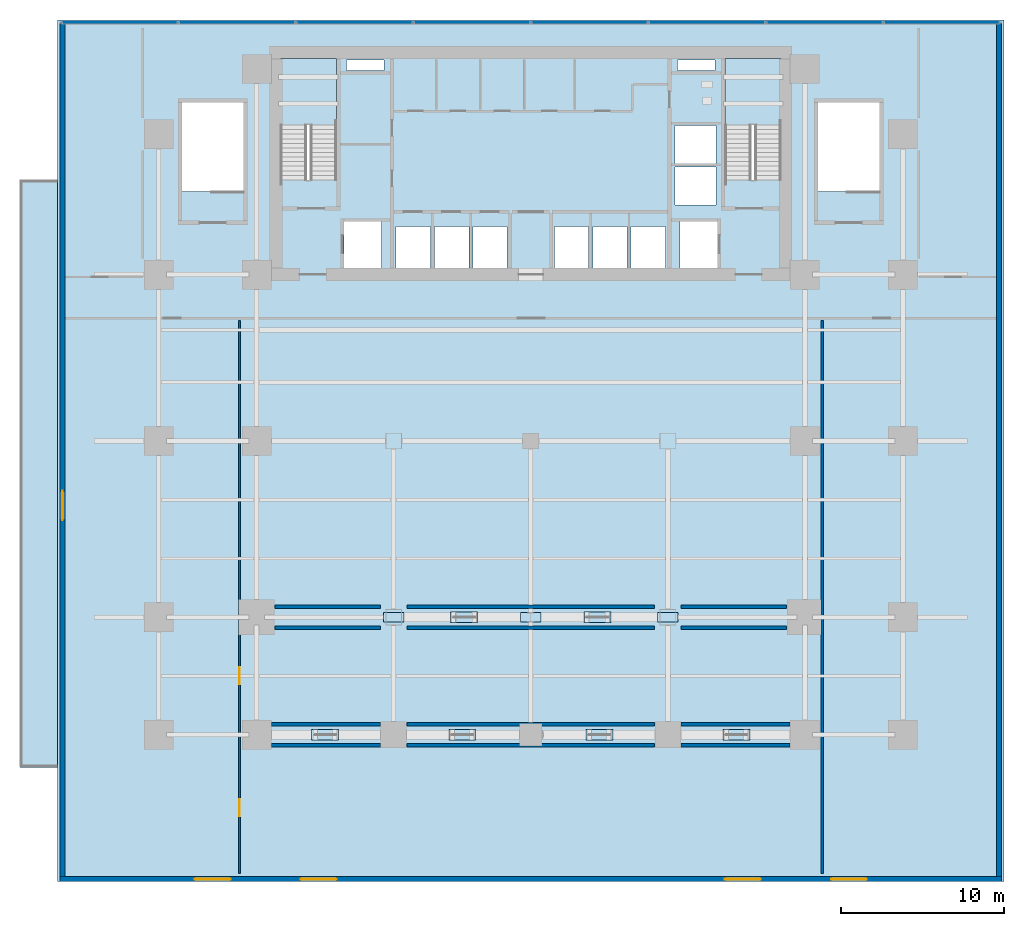
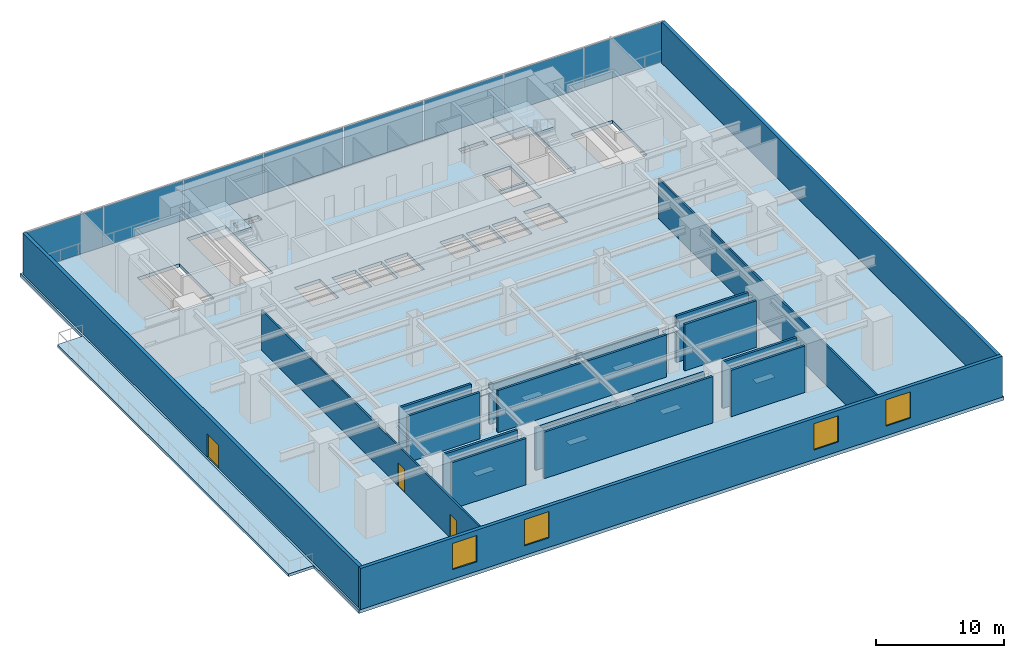
# One storey, part 8 of 15: 17 plates, 17 walls, 4 slabs, 4 windows, 3 doors, 7 openings, 3 elements without a shape of their own.
"""IFC4 building model written with IfcOpenShell, lengths in metres."""

import ifcopenshell
import ifcopenshell.guid

model = None  # the IFC model being written
_history = None  # IfcOwnerHistory: only IFC2X3 demands one
_inside = {}  # id of a spatial element -> (the spatial element, [elements in it])
_under = {}  # id of a project, library or spatial element -> (it, [spatial elements below it])
_declared = {}  # id of a project -> (the project, [libraries it declares])
_typed = {}  # id of a type object -> (the type object, [elements of that type])
_made_of = {}  # id of a material, layer set ... -> (it, [elements and type objects made of it])


def new_model(schema):
    """Start an empty IFC model of exactly this schema.

    Asked for "IFC4X3", IfcOpenShell would pick the latest addendum, in which some entities
    have other attributes; the version numbers below select the first issue.
    IFC2X3 requires an IfcOwnerHistory on every rooted entity: one is made here for all.
    """
    global model, _history
    if schema == "IFC4X3":
        model = ifcopenshell.file(schema_version=(4, 3, 0, 0))
    else:
        model = ifcopenshell.file(schema=schema)
    _inside.clear()
    _under.clear()
    _declared.clear()
    _typed.clear()
    _made_of.clear()
    _history = None
    if model.schema == "IFC2X3":
        org = make("IfcOrganization", Name="unknown")
        user = make(
            "IfcPersonAndOrganization",
            ThePerson=make("IfcPerson", FamilyName="unknown"),
            TheOrganization=org,
        )
        app = make(
            "IfcApplication",
            ApplicationDeveloper=org,
            Version="unknown",
            ApplicationFullName="unknown",
            ApplicationIdentifier="unknown",
        )
        _history = make(
            "IfcOwnerHistory",
            OwningUser=user,
            OwningApplication=app,
            ChangeAction="ADDED",
            CreationDate=0,
        )
    return model


def make(cls, **values):
    """One entity of the class cls with the attributes given. An attribute that is None is left unset."""
    return model.create_entity(
        cls, **{name: value for name, value in values.items() if value is not None}
    )


def rooted(cls, **values):
    """An entity with a GlobalId (a new one), such as an element, a storey or a relation."""
    return make(cls, GlobalId=ifcopenshell.guid.new(), OwnerHistory=_history, **values)


def si_unit(unit_type, name, prefix=None):
    """IfcSIUnit, for example si_unit("LENGTHUNIT", "METRE", prefix="MILLI")."""
    return make("IfcSIUnit", UnitType=unit_type, Prefix=prefix, Name=name)


def assignment(units):
    """IfcUnitAssignment: the units of a project."""
    return None if units is None else make("IfcUnitAssignment", Units=units)


def point(xyz):
    """IfcCartesianPoint."""
    return None if xyz is None else make("IfcCartesianPoint", Coordinates=xyz)


def direction(xyz):
    """IfcDirection."""
    return None if xyz is None else make("IfcDirection", DirectionRatios=xyz)


def frame(location, z_axis=None, x_axis=None):
    """IfcAxis2Placement3D, a coordinate frame: its origin and axes. An axis left out is left unset."""
    return make(
        "IfcAxis2Placement3D",
        Location=point(location),
        Axis=direction(z_axis),
        RefDirection=direction(x_axis),
    )


def frame_2d(location, x_axis=None):
    """IfcAxis2Placement2D, a coordinate frame in the plane: its origin and x axis."""
    return make(
        "IfcAxis2Placement2D", Location=point(location), RefDirection=direction(x_axis)
    )


def origin():
    """The frame at (0, 0, 0) with its axes left unset."""
    return frame((0.0, 0.0, 0.0))


def origin_2d():
    """The frame at (0, 0) in the plane with its x axis left unset."""
    return frame_2d((0.0, 0.0))


def place(relative_to, where):
    """IfcLocalPlacement: puts the frame where relative to a parent placement (None: the world)."""
    return make(
        "IfcLocalPlacement", PlacementRelTo=relative_to, RelativePlacement=where
    )


def context(
    kind, dimensions, precision=None, world=None, true_north=None, identifier=None
):
    """IfcGeometricRepresentationContext, for example the 3D "Model" context."""
    return make(
        "IfcGeometricRepresentationContext",
        ContextIdentifier=identifier,
        ContextType=kind,
        CoordinateSpaceDimension=dimensions,
        Precision=precision,
        WorldCoordinateSystem=world,
        TrueNorth=true_north,
    )


def subcontext(parent, identifier, kind, view, scale=None):
    """IfcGeometricRepresentationSubContext, for example "Body" below "Model"."""
    return make(
        "IfcGeometricRepresentationSubContext",
        ContextIdentifier=identifier,
        ContextType=kind,
        ParentContext=parent,
        TargetScale=scale,
        TargetView=view,
    )


def project(units=None, contexts=None):
    """IfcProject with its units and contexts."""
    return rooted(
        "IfcProject",
        Name="project",
        RepresentationContexts=contexts,
        UnitsInContext=assignment(units),
    )


def spatial(cls, under=None, at=None, **own):
    """A site, building, storey or space (cls), placed at a placement, below another one or the project."""
    s = rooted(cls, ObjectPlacement=at, **own)
    if under is not None:
        _under.setdefault(under.id(), (under, []))[1].append(s)
    return s


def polyline(points):
    """IfcPolyline through the points."""
    return make("IfcPolyline", Points=[point(p) for p in points])


def profile(cls, at=None, kind="AREA", **sizes):
    """A parametric profile (cls). Its sizes go by their IFC names, for example OverallWidth=200.0."""
    return make(cls, ProfileType=kind, Position=at, **sizes)


def rectangle(**sizes):
    """IfcRectangleProfileDef."""
    return profile("IfcRectangleProfileDef", **sizes)


def outline(outer, holes=None, kind="AREA"):
    """IfcArbitraryClosedProfileDef: a profile drawn as a closed curve; with holes, ...WithVoids."""
    if holes is None:
        return make("IfcArbitraryClosedProfileDef", ProfileType=kind, OuterCurve=outer)
    return make(
        "IfcArbitraryProfileDefWithVoids",
        ProfileType=kind,
        OuterCurve=outer,
        InnerCurves=holes,
    )


def extrude(swept, where, along, depth):
    """IfcExtrudedAreaSolid: the profile swept, set in the frame where, extruded along a direction by depth."""
    return make(
        "IfcExtrudedAreaSolid",
        SweptArea=swept,
        Position=where,
        ExtrudedDirection=direction(along),
        Depth=depth,
    )


def shape(context_of_items, identifier, shape_type, items):
    """IfcShapeRepresentation: the items that make up one representation, for example the "Body"."""
    return make(
        "IfcShapeRepresentation",
        ContextOfItems=context_of_items,
        RepresentationIdentifier=identifier,
        RepresentationType=shape_type,
        Items=items,
    )


def source(mapping_origin, context_of_items, identifier, shape_type, items):
    """IfcRepresentationMap: a shape defined once, which mapped items show again and again."""
    return make(
        "IfcRepresentationMap",
        MappingOrigin=mapping_origin,
        MappedRepresentation=shape(context_of_items, identifier, shape_type, items),
    )


def transform(
    local_origin,
    x_axis=None,
    y_axis=None,
    z_axis=None,
    scale=None,
    scale2=None,
    scale3=None,
    uniform=True,
):
    """IfcCartesianTransformationOperator3D, or its non-uniform kind. x_axis, y_axis, z_axis: its Axis1, 2, 3."""
    if uniform:
        return make(
            "IfcCartesianTransformationOperator3D",
            Axis1=direction(x_axis),
            Axis2=direction(y_axis),
            LocalOrigin=point(local_origin),
            Scale=scale,
            Axis3=direction(z_axis),
        )
    return make(
        "IfcCartesianTransformationOperator3DnonUniform",
        Axis1=direction(x_axis),
        Axis2=direction(y_axis),
        LocalOrigin=point(local_origin),
        Scale=scale,
        Axis3=direction(z_axis),
        Scale2=scale2,
        Scale3=scale3,
    )


def mapped(mapping_source, mapping_target):
    """IfcMappedItem: shows the shape of a source again, moved by a transform."""
    return make(
        "IfcMappedItem", MappingSource=mapping_source, MappingTarget=mapping_target
    )


def material(Name=None, Category=None):
    """IfcMaterial."""
    return make("IfcMaterial", Name=Name, Category=Category)


def layer(
    of_material, thickness, ventilated=None, Name=None, Category=None, Priority=None
):
    """IfcMaterialLayer: one layer of a wall or slab, of a material (None: an air gap)."""
    return make(
        "IfcMaterialLayer",
        Material=of_material,
        LayerThickness=thickness,
        IsVentilated=ventilated,
        Name=Name,
        Category=Category,
        Priority=Priority,
    )


def layer_set(layers, Name=None):
    """IfcMaterialLayerSet."""
    return make("IfcMaterialLayerSet", MaterialLayers=layers, LayerSetName=Name)


def made_of(thing, what):
    """Note that an element or type object is made of a material, layer set ...; save() writes the relation."""
    if what is not None:
        _made_of.setdefault(what.id(), (what, []))[1].append(thing)
    return thing


def type_object(cls, material=None, **own):
    """A type object (cls), such as IfcWallType, which elements share."""
    return made_of(rooted(cls, **own), material)


def element(
    cls,
    number,
    at=None,
    inside=None,
    cuts=None,
    type_object=None,
    material=None,
    context=None,
    identifier="Body",
    shape_type=None,
    held_by="IfcProductDefinitionShape",
    body=None,
    shapes=None,
    **own,
):
    """One element of the class cls, such as IfcWall. Its Tag is "e" and its number.

    at: its placement. inside: the storey or other place that contains it. cuts: it is an
    opening in that element (IfcRelVoidsElement). A single representation is given by context,
    identifier, shape_type and body (its items); several are given by shapes. held_by: the class
    of the entity that holds the representations. save() writes the other relations.
    """
    e = rooted(cls, Tag="e%d" % number, ObjectPlacement=at, **own)
    if body is not None:
        shapes = [shape(context, identifier, shape_type, body)]
    if shapes is not None:
        e.Representation = make(held_by, Representations=shapes)
    if inside is not None:
        _inside.setdefault(inside.id(), (inside, []))[1].append(e)
    if cuts is not None:
        rooted(
            "IfcRelVoidsElement", RelatingBuildingElement=cuts, RelatedOpeningElement=e
        )
    if type_object is not None:
        _typed.setdefault(type_object.id(), (type_object, []))[1].append(e)
    return made_of(e, material)


def fill(opening, filler):
    """IfcRelFillsElement: the door or window that sits in an opening."""
    return rooted(
        "IfcRelFillsElement",
        RelatingOpeningElement=opening,
        RelatedBuildingElement=filler,
    )


def aggregate(whole, parts):
    """IfcRelAggregates: a whole, such as a stair, and the parts it consists of."""
    return rooted("IfcRelAggregates", RelatingObject=whole, RelatedObjects=parts)


def save(model, path):
    """Write the relations noted so far, then the file.

    IfcRelAggregates (storeys below a building ...), IfcRelContainedInSpatialStructure (elements
    in a storey), IfcRelDefinesByType, IfcRelAssociatesMaterial and IfcRelDeclares: one each for
    every whole, place, type object, material and project.
    """
    for whole, parts in _under.values():
        aggregate(whole, parts)
    for where, things in _inside.values():
        rooted(
            "IfcRelContainedInSpatialStructure",
            RelatedElements=things,
            RelatingStructure=where,
        )
    for kind, things in _typed.values():
        rooted("IfcRelDefinesByType", RelatedObjects=things, RelatingType=kind)
    for what, things in _made_of.values():
        rooted("IfcRelAssociatesMaterial", RelatedObjects=things, RelatingMaterial=what)
    for by, libraries in _declared.values():
        rooted("IfcRelDeclares", RelatingContext=by, RelatedDefinitions=libraries)
    model.write(path)


model = new_model("IFC4")

# Units and contexts
model_context = context("Model", 3, precision=1e-05, world=origin(), true_north=direction((0.0, 1.0)))
body_context = subcontext(model_context, "Body", "Model", "MODEL_VIEW")
ifc_project = project(units=[si_unit("LENGTHUNIT", "METRE"), si_unit("AREAUNIT", "SQUARE_METRE"), si_unit("VOLUMEUNIT", "CUBIC_METRE"), si_unit("PLANEANGLEUNIT", "RADIAN"), si_unit("MASSUNIT", "GRAM", prefix="KILO")], contexts=[model_context])

# Site, building, storey
site_placement = place(None, origin())
site = spatial("IfcSite", under=ifc_project, at=site_placement, CompositionType="ELEMENT")
building_placement = place(site_placement, origin())
building = spatial("IfcBuilding", under=site, at=building_placement, Name="Sumidabori Civic Tower", CompositionType="ELEMENT")
storey_placement = place(building_placement, frame((0.0, 0.0, 18.949951171875)))
storey = spatial("IfcBuildingStorey", under=building, at=storey_placement, Name="L04", CompositionType="ELEMENT", Elevation=18.949951171875)

# Stair, slab
ifc_material_1 = material(Name="Concrete C40/50", Category="concrete")
stair_type = type_object("IfcStairType", Name="ST-CORE-1600", PredefinedType="HALF_TURN_STAIR", material=ifc_material_1)
stair_1_placement = place(storey_placement, origin())
stair_1 = element("IfcStair", 1, at=stair_1_placement, inside=storey, type_object=stair_type, Name="L04 ST-1", PredefinedType="HALF_TURN_STAIR")
ifc_layer_1 = layer(ifc_material_1, 0.199951171875, Name="Concrete C40/50")
ifc_layer_set_1 = layer_set([ifc_layer_1], Name="Concrete C40/50")
slab_type_1 = type_object("IfcSlabType", Name="SL-LAND-200", PredefinedType="LANDING", material=ifc_layer_set_1)
slab_1_placement = place(storey_placement, frame((0.0, 0.0, 2.125)))
slab_1 = element("IfcSlab", 2, at=slab_1_placement, type_object=slab_type_1, Name="ST-1 landing 1", PredefinedType="LANDING", context=body_context, shape_type="SweptSolid", body=[
    extrude(outline(polyline([(-11.89990234375, 19.360107421875), (-11.89990234375, 23.449951171875), (-15.340087890625, 23.449951171875), (-15.340087890625, 19.360107421875), (-11.89990234375, 19.360107421875)])), origin(), (0.0, 0.0, 1.0), 0.199951171875),
])
aggregate(stair_1, [slab_1])

stair_2_placement = place(storey_placement, origin())
stair_2 = element("IfcStair", 3, at=stair_2_placement, inside=storey, type_object=stair_type, Name="L04 ST-2", PredefinedType="HALF_TURN_STAIR")
slab_2_placement = place(storey_placement, frame((0.0, 0.0, 2.125)))
slab_2 = element("IfcSlab", 4, at=slab_2_placement, type_object=slab_type_1, Name="ST-2 landing 1", PredefinedType="LANDING", context=body_context, shape_type="SweptSolid", body=[
    extrude(outline(polyline([(15.340087890625, 19.360107421875), (15.340087890625, 23.449951171875), (11.89990234375, 23.449951171875), (11.89990234375, 19.360107421875), (15.340087890625, 19.360107421875)])), origin(), (0.0, 0.0, 1.0), 0.199951171875),
])
aggregate(stair_2, [slab_2])

# Slabs
ifc_layer_2 = layer(ifc_material_1, 0.25, Name="Concrete C40/50")
ifc_layer_set_2 = layer_set([ifc_layer_2], Name="Concrete C40/50")
slab_type_2 = type_object("IfcSlabType", Name="SL-TER-250", PredefinedType="FLOOR", material=ifc_layer_set_2)
slab_3_placement = place(storey_placement, frame((0.0, 0.0, -0.25)))
element("IfcSlab", 5, at=slab_3_placement, inside=storey, type_object=slab_type_2, Name="Planted Podium Roof Terrace TER-L04-W", PredefinedType="FLOOR", context=body_context, shape_type="SweptSolid", body=[
    extrude(outline(polyline([(-31.300048828125, -20.0), (-29.0, -20.0), (-29.0, 16.0), (-31.300048828125, 16.0), (-31.300048828125, -20.0)])), origin(), (0.0, 0.0, 1.0), 0.25),
])
ifc_material_2 = material(Name="Concrete C50/60", Category="concrete")
ifc_layer_3 = layer(ifc_material_2, 0.320068359375, Name="Concrete C50/60")
ifc_layer_set_3 = layer_set([ifc_layer_3], Name="Concrete C50/60")
slab_type_3 = type_object("IfcSlabType", Name="SL-TRN-320", PredefinedType="FLOOR", material=ifc_layer_set_3)
slab_4_placement = place(storey_placement, frame((0.0, 0.0, -0.320068359375)))
element("IfcSlab", 6, at=slab_4_placement, inside=storey, type_object=slab_type_3, Name="Structural Slab L04", PredefinedType="FLOOR", context=body_context, shape_type="SweptSolid", body=[
    extrude(outline(polyline([(-29.0, -27.0), (29.0, -27.0), (29.0, 25.800048828125), (-29.0, 25.800048828125), (-29.0, -27.0)]), holes=[polyline([(-11.89990234375, 16.0), (-11.89990234375, 23.449951171875), (-15.340087890625, 23.449951171875), (-15.340087890625, 16.0), (-11.89990234375, 16.0)]), polyline([(15.340087890625, 16.0), (15.340087890625, 23.449951171875), (11.89990234375, 23.449951171875), (11.89990234375, 16.0), (15.340087890625, 16.0)]), polyline([(-17.60009765625, 15.300048828125), (-17.60009765625, 20.739990234375), (-21.360107421875, 20.739990234375), (-21.360107421875, 15.300048828125), (-17.60009765625, 15.300048828125)]), polyline([(21.360107421875, 15.300048828125), (21.360107421875, 20.739990234375), (17.60009765625, 20.739990234375), (17.60009765625, 15.300048828125), (21.360107421875, 15.300048828125)]), polyline([(-11.449951171875, 10.550048828125), (-9.14990234375, 10.550048828125), (-9.14990234375, 13.449951171875), (-11.449951171875, 13.449951171875), (-11.449951171875, 10.550048828125)]), polyline([(9.14990234375, 10.550048828125), (11.449951171875, 10.550048828125), (11.449951171875, 13.449951171875), (9.14990234375, 13.449951171875), (9.14990234375, 10.550048828125)]), polyline([(-8.25, 10.550048828125), (-6.14990234375, 10.550048828125), (-6.14990234375, 13.14990234375), (-8.25, 13.14990234375), (-8.25, 10.550048828125)]), polyline([(-5.89990234375, 10.550048828125), (-3.800048828125, 10.550048828125), (-3.800048828125, 13.14990234375), (-5.89990234375, 13.14990234375), (-5.89990234375, 10.550048828125)]), polyline([(-3.550048828125, 10.550048828125), (-1.449951171875, 10.550048828125), (-1.449951171875, 13.14990234375), (-3.550048828125, 13.14990234375), (-3.550048828125, 10.550048828125)]), polyline([(1.449951171875, 10.550048828125), (3.550048828125, 10.550048828125), (3.550048828125, 13.14990234375), (1.449951171875, 13.14990234375), (1.449951171875, 10.550048828125)]), polyline([(3.800048828125, 10.550048828125), (5.89990234375, 10.550048828125), (5.89990234375, 13.14990234375), (3.800048828125, 13.14990234375), (3.800048828125, 10.550048828125)]), polyline([(6.14990234375, 10.550048828125), (8.25, 10.550048828125), (8.25, 13.14990234375), (6.14990234375, 13.14990234375), (6.14990234375, 10.550048828125)]), polyline([(8.85009765625, 14.449951171875), (11.35009765625, 14.449951171875), (11.35009765625, 16.800048828125), (8.85009765625, 16.800048828125), (8.85009765625, 14.449951171875)]), polyline([(8.85009765625, 17.0), (11.35009765625, 17.0), (11.35009765625, 19.35009765625), (8.85009765625, 19.35009765625), (8.85009765625, 17.0)]), polyline([(-11.300048828125, 22.719970703125), (-9.0, 22.719970703125), (-9.0, 23.35009765625), (-11.300048828125, 23.35009765625), (-11.300048828125, 22.719970703125)]), polyline([(9.0, 22.719970703125), (11.300048828125, 22.719970703125), (11.300048828125, 23.35009765625), (9.0, 23.35009765625), (9.0, 22.719970703125)])]), origin(), (0.0, 0.0, 1.0), 0.320068359375),
])

# Plates
ifc_material_3 = material(Name="Steel SN490", Category="steel")
ifc_layer_4 = layer(ifc_material_3, 0.0400390625, Name="Steel SN490")
ifc_layer_set_4 = layer_set([ifc_layer_4], Name="Steel SN490")
plate_type_1 = type_object("IfcPlateType", Name="PL-NODE-XBR", PredefinedType="USERDEFINED", material=ifc_layer_set_4)
shared_shape_1 = source(origin(), body_context, "Body", "SweptSolid", [
    extrude(rectangle(XDim=1.64990234375, YDim=0.64990234375, at=origin_2d()), origin(), (0.0, 0.0, 1.0), 0.0400390625),
])
for number, where, z_axis, x_axis, name in (
    (7, (-4.0849609375, -10.800048828125, 1.784912109375), (0.0, 0.0, 1.0), (1.0, 0.0, 0.0), "X-Brace Crossing Node Plate XND-TT1-1"),
    (8, (4.0849609375, -10.800048828125, 1.784912109375), (0.0, 0.0, 1.0), (1.0, 0.0, 0.0), "X-Brace Crossing Node Plate XND-TT1-2"),
    (9, (-12.60009765625, -18.0, 1.985107421875), (0.0, 0.0, 1.0), (1.0, 0.0, 0.0), "X-Brace Crossing Node Plate XND-TT2-1"),
    (10, (-4.199951171875, -18.0, 1.985107421875), (0.0, 0.0, 1.0), (1.0, 0.0, 0.0), "X-Brace Crossing Node Plate XND-TT2-2"),
    (11, (4.199951171875, -18.0, 1.985107421875), (0.0, 0.0, 1.0), (1.0, 0.0, 0.0), "X-Brace Crossing Node Plate XND-TT2-3"),
    (12, (12.60009765625, -18.0, 1.985107421875), (0.0, 0.0, 1.0), (1.0, 0.0, 0.0), "X-Brace Crossing Node Plate XND-TT2-4"),
):
    element("IfcPlate", number, at=place(storey_placement, frame(where, z_axis=z_axis, x_axis=x_axis)), inside=storey, type_object=plate_type_1, Name=name, ObjectType="GUSSET_PLATE", PredefinedType="USERDEFINED", context=body_context, shape_type="MappedRepresentation", body=[
        mapped(shared_shape_1, transform((0.0, 0.0, 0.0), x_axis=(1.0, 0.0, 0.0), y_axis=(0.0, 1.0, 0.0), z_axis=(0.0, 0.0, 1.0), scale=1.0)),
    ])
ifc_material_4 = material(Name="Steel SM570", Category="steel")
ifc_layer_5 = layer(ifc_material_4, 0.044921875, Name="Steel SM570")
ifc_layer_set_5 = layer_set([ifc_layer_5], Name="Steel SM570")
plate_type_2 = type_object("IfcPlateType", Name="PL-NODE-TT", PredefinedType="USERDEFINED", material=ifc_layer_set_5)
shared_shape_2 = source(origin(), body_context, "Body", "SweptSolid", [
    extrude(rectangle(XDim=1.239990234375, YDim=0.60009765625, at=origin_2d()), origin(), (0.0, 0.0, 1.0), 0.044921875),
])
for number, where, z_axis, x_axis, name in (
    (13, (-8.39990234375, -10.800048828125, 3.6376953125), (0.0, 0.0, 1.0), (1.0, 0.0, 0.0), "Transfer Truss Node Gusset ND-TT1"),
    (14, (0.0, -10.800048828125, 3.6376953125), (0.0, 0.0, 1.0), (1.0, 0.0, 0.0), "Transfer Truss Node Gusset ND-TT1"),
    (15, (8.39990234375, -10.800048828125, 3.6376953125), (0.0, 0.0, 1.0), (1.0, 0.0, 0.0), "Transfer Truss Node Gusset ND-TT1"),
):
    element("IfcPlate", number, at=place(storey_placement, frame(where, z_axis=z_axis, x_axis=x_axis)), inside=storey, type_object=plate_type_2, Name=name, ObjectType="GUSSET_PLATE", PredefinedType="USERDEFINED", context=body_context, shape_type="MappedRepresentation", body=[
        mapped(shared_shape_2, transform((0.0, 0.0, 0.0), x_axis=(1.0, 0.0, 0.0), y_axis=(0.0, 1.0, 0.0), z_axis=(0.0, 0.0, 1.0), scale=1.0)),
    ])

# Curtain wall, plates
ifc_material_5 = material(Name="Anodised Bronze Aluminium AW-6063-T6", Category="aluminium")
ifc_layer_6 = layer(ifc_material_5, 0.179931640625, Name="Anodised Bronze Aluminium AW-6063-T6")
ifc_layer_set_6 = layer_set([ifc_layer_6], Name="Anodised Bronze Aluminium AW-6063-T6")
curtain_wall_type = type_object("IfcCurtainWallType", Name="CW-SYS-1", PredefinedType="NOTDEFINED", material=ifc_layer_set_6)
curtain_wall_placement = place(storey_placement, origin())
curtain_wall = element("IfcCurtainWall", 16, at=curtain_wall_placement, inside=storey, type_object=curtain_wall_type, Name="Curtain Wall CW:L04:NORTH", PredefinedType="NOTDEFINED")
ifc_material_6 = material(Name="Low-E Vision Double Glazing", Category="glass")
ifc_layer_7 = layer(ifc_material_6, 0.031982421875, Name="Low-E Vision Double Glazing")
ifc_layer_set_7 = layer_set([ifc_layer_7], Name="Low-E Vision Double Glazing")
plate_type_3 = type_object("IfcPlateType", Name="CW-PNL-32", PredefinedType="CURTAIN_PANEL", material=ifc_layer_set_7)
shared_shape_3 = source(origin(), body_context, "Body", "SweptSolid", [
    extrude(rectangle(XDim=7.094970703125, YDim=0.031982421875, at=origin_2d()), origin(), (0.0, 0.0, 1.0), 3.780029296875),
])
plate_1_placement = place(storey_placement, frame((-25.1826171875, 25.64990234375, 0.06494140625), z_axis=(0.0, 0.0, 1.0), x_axis=(1.0, 0.0, 0.0)))
plate_1 = element("IfcPlate", 17, at=plate_1_placement, type_object=plate_type_3, Name="CW-1 panel 1.1", PredefinedType="CURTAIN_PANEL", context=body_context, shape_type="MappedRepresentation", body=[
    mapped(shared_shape_3, transform((0.0, 0.0, 0.0), x_axis=(1.0, 0.0, 0.0), y_axis=(0.0, 1.0, 0.0), z_axis=(0.0, 0.0, 1.0), scale=1.0)),
])
plate_2_placement = place(storey_placement, frame((25.1826171875, 25.64990234375, 0.06494140625), z_axis=(0.0, 0.0, 1.0), x_axis=(1.0, 0.0, 0.0)))
plate_2 = element("IfcPlate", 18, at=plate_2_placement, type_object=plate_type_3, Name="CW-1 panel 8.1", PredefinedType="CURTAIN_PANEL", context=body_context, shape_type="MappedRepresentation", body=[
    mapped(shared_shape_3, transform((0.0, 0.0, 0.0), x_axis=(1.0, 0.0, 0.0), y_axis=(0.0, 1.0, 0.0), z_axis=(0.0, 0.0, 1.0), scale=1.0)),
])
shared_shape_4 = source(origin(), body_context, "Body", "SweptSolid", [
    extrude(rectangle(XDim=7.1298828125, YDim=0.031982421875, at=origin_2d()), origin(), (0.0, 0.0, 1.0), 3.780029296875),
])
plate_3_placement = place(storey_placement, frame((-18.0, 25.64990234375, 0.06494140625), z_axis=(0.0, 0.0, 1.0), x_axis=(1.0, 0.0, 0.0)))
plate_3 = element("IfcPlate", 19, at=plate_3_placement, type_object=plate_type_3, Name="CW-1 panel 2.1", PredefinedType="CURTAIN_PANEL", context=body_context, shape_type="MappedRepresentation", body=[
    mapped(shared_shape_4, transform((0.0, 0.0, 0.0), x_axis=(1.0, 0.0, 0.0), y_axis=(0.0, 1.0, 0.0), z_axis=(0.0, 0.0, 1.0), scale=1.0)),
])
plate_4_placement = place(storey_placement, frame((-10.800048828125, 25.64990234375, 0.06494140625), z_axis=(0.0, 0.0, 1.0), x_axis=(1.0, 0.0, 0.0)))
plate_4 = element("IfcPlate", 20, at=plate_4_placement, type_object=plate_type_3, Name="CW-1 panel 3.1", PredefinedType="CURTAIN_PANEL", context=body_context, shape_type="MappedRepresentation", body=[
    mapped(shared_shape_4, transform((0.0, 0.0, 0.0), x_axis=(1.0, 0.0, 0.0), y_axis=(0.0, 1.0, 0.0), z_axis=(0.0, 0.0, 1.0), scale=1.0)),
])
plate_5_placement = place(storey_placement, frame((-3.60009765625, 25.64990234375, 0.06494140625), z_axis=(0.0, 0.0, 1.0), x_axis=(1.0, 0.0, 0.0)))
plate_5 = element("IfcPlate", 21, at=plate_5_placement, type_object=plate_type_3, Name="CW-1 panel 4.1", PredefinedType="CURTAIN_PANEL", context=body_context, shape_type="MappedRepresentation", body=[
    mapped(shared_shape_4, transform((0.0, 0.0, 0.0), x_axis=(1.0, 0.0, 0.0), y_axis=(0.0, 1.0, 0.0), z_axis=(0.0, 0.0, 1.0), scale=1.0)),
])
plate_6_placement = place(storey_placement, frame((3.60009765625, 25.64990234375, 0.06494140625), z_axis=(0.0, 0.0, 1.0), x_axis=(1.0, 0.0, 0.0)))
plate_6 = element("IfcPlate", 22, at=plate_6_placement, type_object=plate_type_3, Name="CW-1 panel 5.1", PredefinedType="CURTAIN_PANEL", context=body_context, shape_type="MappedRepresentation", body=[
    mapped(shared_shape_4, transform((0.0, 0.0, 0.0), x_axis=(1.0, 0.0, 0.0), y_axis=(0.0, 1.0, 0.0), z_axis=(0.0, 0.0, 1.0), scale=1.0)),
])
plate_7_placement = place(storey_placement, frame((10.800048828125, 25.64990234375, 0.06494140625), z_axis=(0.0, 0.0, 1.0), x_axis=(1.0, 0.0, 0.0)))
plate_7 = element("IfcPlate", 23, at=plate_7_placement, type_object=plate_type_3, Name="CW-1 panel 6.1", PredefinedType="CURTAIN_PANEL", context=body_context, shape_type="MappedRepresentation", body=[
    mapped(shared_shape_4, transform((0.0, 0.0, 0.0), x_axis=(1.0, 0.0, 0.0), y_axis=(0.0, 1.0, 0.0), z_axis=(0.0, 0.0, 1.0), scale=1.0)),
])
plate_8_placement = place(storey_placement, frame((18.0, 25.64990234375, 0.06494140625), z_axis=(0.0, 0.0, 1.0), x_axis=(1.0, 0.0, 0.0)))
plate_8 = element("IfcPlate", 24, at=plate_8_placement, type_object=plate_type_3, Name="CW-1 panel 7.1", PredefinedType="CURTAIN_PANEL", context=body_context, shape_type="MappedRepresentation", body=[
    mapped(shared_shape_4, transform((0.0, 0.0, 0.0), x_axis=(1.0, 0.0, 0.0), y_axis=(0.0, 1.0, 0.0), z_axis=(0.0, 0.0, 1.0), scale=1.0)),
])
aggregate(curtain_wall, [plate_1, plate_3, plate_4, plate_5, plate_6, plate_7, plate_8, plate_2])

# Wall, openings, windows
ifc_material_7 = material(Name="Precast concrete C40/50", Category="concrete")
ifc_layer_8 = layer(ifc_material_7, 0.300048828125, Name="Precast concrete C40/50")
ifc_layer_set_8 = layer_set([ifc_layer_8], Name="Precast concrete C40/50")
wall_type_1 = type_object("IfcWallType", Name="WL-EXT-POD300", PredefinedType="STANDARD", material=ifc_layer_set_8)
shared_shape_5 = source(origin(), body_context, "Body", "SweptSolid", [
    extrude(rectangle(XDim=57.7001953125, YDim=0.300048828125, at=frame_2d((28.85009765625, 0.0))), origin(), (0.0, 0.0, 1.0), 3.91015625),
])
wall_1_placement = place(storey_placement, frame((28.85009765625, -26.85009765625, 0.0), z_axis=(0.0, 0.0, 1.0), x_axis=(-1.0, 0.0, 0.0)))
wall_1 = element("IfcWall", 25, at=wall_1_placement, inside=storey, type_object=wall_type_1, Name="Podium South Wall L04", PredefinedType="STANDARD", context=body_context, shape_type="MappedRepresentation", body=[
    mapped(shared_shape_5, transform((0.0, 0.0, 0.0), x_axis=(1.0, 0.0, 0.0), y_axis=(0.0, 1.0, 0.0), z_axis=(0.0, 0.0, 1.0), scale=1.0)),
])
opening_1_placement = place(wall_1_placement, frame((8.25, 0.0, 0.89990234375)))
opening_1 = element("IfcOpeningElement", 26, at=opening_1_placement, cuts=wall_1, Name="Opening WN-5", PredefinedType="OPENING", context=body_context, shape_type="SweptSolid", body=[
    extrude(rectangle(XDim=2.199951171875, YDim=2.5, at=frame_2d((1.10009765625, 1.25))), frame((0.0, 0.162109375, 0.0), z_axis=(0.0, -1.0, 0.0), x_axis=(1.0, 0.0, 0.0)), (0.0, 0.0, 1.0), 0.323974609375),
])
opening_2_placement = place(wall_1_placement, frame((14.75, 0.0, 0.89990234375)))
opening_2 = element("IfcOpeningElement", 27, at=opening_2_placement, cuts=wall_1, Name="Opening WN-5", PredefinedType="OPENING", context=body_context, shape_type="SweptSolid", body=[
    extrude(rectangle(XDim=2.199951171875, YDim=2.5, at=frame_2d((1.10009765625, 1.25))), frame((0.0, 0.162109375, 0.0), z_axis=(0.0, -1.0, 0.0), x_axis=(1.0, 0.0, 0.0)), (0.0, 0.0, 1.0), 0.323974609375),
])
opening_3_placement = place(wall_1_placement, frame((40.75, 0.0, 0.89990234375)))
opening_3 = element("IfcOpeningElement", 28, at=opening_3_placement, cuts=wall_1, Name="Opening WN-5", PredefinedType="OPENING", context=body_context, shape_type="SweptSolid", body=[
    extrude(rectangle(XDim=2.199951171875, YDim=2.5, at=frame_2d((1.10009765625, 1.25))), frame((0.0, 0.162109375, 0.0), z_axis=(0.0, -1.0, 0.0), x_axis=(1.0, 0.0, 0.0)), (0.0, 0.0, 1.0), 0.323974609375),
])
opening_4_placement = place(wall_1_placement, frame((47.25, 0.0, 0.89990234375)))
opening_4 = element("IfcOpeningElement", 29, at=opening_4_placement, cuts=wall_1, Name="Opening WN-5", PredefinedType="OPENING", context=body_context, shape_type="SweptSolid", body=[
    extrude(rectangle(XDim=2.199951171875, YDim=2.5, at=frame_2d((1.10009765625, 1.25))), frame((0.0, 0.162109375, 0.0), z_axis=(0.0, -1.0, 0.0), x_axis=(1.0, 0.0, 0.0)), (0.0, 0.0, 1.0), 0.323974609375),
])
window_type = type_object("IfcWindowType", Name="WN-OBS-2200", PartitioningType="SINGLE_PANEL", PredefinedType="WINDOW", material=ifc_material_6)
shared_shape_6 = source(origin(), body_context, "Body", "SweptSolid", [
    extrude(rectangle(XDim=2.199951171875, YDim=2.5, at=frame_2d((1.10009765625, 1.25))), frame((0.0, 0.030029296875, 0.0), z_axis=(0.0, -1.0, 0.0), x_axis=(1.0, 0.0, 0.0)), (0.0, 0.0, 1.0), 0.06005859375),
])
window_1_placement = place(opening_1_placement, origin())
window_1 = element("IfcWindow", 30, at=window_1_placement, inside=storey, type_object=window_type, Name="Podium Window L04-S1", OverallHeight=2.5, OverallWidth=2.199951171875, PartitioningType="SINGLE_PANEL", PredefinedType="WINDOW", context=body_context, shape_type="MappedRepresentation", body=[
    mapped(shared_shape_6, transform((0.0, 0.0, 0.0), x_axis=(1.0, 0.0, 0.0), y_axis=(0.0, 1.0, 0.0), z_axis=(0.0, 0.0, 1.0), scale=1.0)),
])
fill(opening_1, window_1)
window_2_placement = place(opening_2_placement, origin())
window_2 = element("IfcWindow", 31, at=window_2_placement, inside=storey, type_object=window_type, Name="Podium Window L04-S2", OverallHeight=2.5, OverallWidth=2.199951171875, PartitioningType="SINGLE_PANEL", PredefinedType="WINDOW", context=body_context, shape_type="MappedRepresentation", body=[
    mapped(shared_shape_6, transform((0.0, 0.0, 0.0), x_axis=(1.0, 0.0, 0.0), y_axis=(0.0, 1.0, 0.0), z_axis=(0.0, 0.0, 1.0), scale=1.0)),
])
fill(opening_2, window_2)
window_3_placement = place(opening_3_placement, origin())
window_3 = element("IfcWindow", 32, at=window_3_placement, inside=storey, type_object=window_type, Name="Podium Window L04-S3", OverallHeight=2.5, OverallWidth=2.199951171875, PartitioningType="SINGLE_PANEL", PredefinedType="WINDOW", context=body_context, shape_type="MappedRepresentation", body=[
    mapped(shared_shape_6, transform((0.0, 0.0, 0.0), x_axis=(1.0, 0.0, 0.0), y_axis=(0.0, 1.0, 0.0), z_axis=(0.0, 0.0, 1.0), scale=1.0)),
])
fill(opening_3, window_3)
window_4_placement = place(opening_4_placement, origin())
window_4 = element("IfcWindow", 33, at=window_4_placement, inside=storey, type_object=window_type, Name="Podium Window L04-S4", OverallHeight=2.5, OverallWidth=2.199951171875, PartitioningType="SINGLE_PANEL", PredefinedType="WINDOW", context=body_context, shape_type="MappedRepresentation", body=[
    mapped(shared_shape_6, transform((0.0, 0.0, 0.0), x_axis=(1.0, 0.0, 0.0), y_axis=(0.0, 1.0, 0.0), z_axis=(0.0, 0.0, 1.0), scale=1.0)),
])
fill(opening_4, window_4)

# Wall, opening, door
shared_shape_7 = source(origin(), body_context, "Body", "SweptSolid", [
    extrude(rectangle(XDim=52.2900390625, YDim=0.300048828125, at=frame_2d((26.14501953125, 0.0))), origin(), (0.0, 0.0, 1.0), 3.91015625),
])
wall_2_placement = place(storey_placement, frame((-28.699951171875, -26.699951171875, 0.0), z_axis=(0.0, 0.0, 1.0), x_axis=(0.0, 1.0, 0.0)))
wall_2 = element("IfcWall", 34, at=wall_2_placement, inside=storey, type_object=wall_type_1, Name="Podium West Wall L04", PredefinedType="STANDARD", context=body_context, shape_type="MappedRepresentation", body=[
    mapped(shared_shape_7, transform((0.0, 0.0, 0.0), x_axis=(1.0, 0.0, 0.0), y_axis=(0.0, 1.0, 0.0), z_axis=(0.0, 0.0, 1.0), scale=1.0)),
])
opening_5_placement = place(wall_2_placement, frame((21.85009765625, 0.0, 0.0)))
opening_5 = element("IfcOpeningElement", 35, at=opening_5_placement, cuts=wall_2, Name="Opening DT-1", PredefinedType="OPENING", context=body_context, shape_type="SweptSolid", body=[
    extrude(rectangle(XDim=1.800048828125, YDim=2.199951171875, at=frame_2d((0.89990234375, 1.10009765625))), frame((0.0, 0.162109375, 0.0), z_axis=(0.0, -1.0, 0.0), x_axis=(1.0, 0.0, 0.0)), (0.0, 0.0, 1.0), 0.323974609375),
])
door_type_1 = type_object("IfcDoorType", Name="DR-EXT-TER", OperationType="DOUBLE_DOOR_SINGLE_SWING", PredefinedType="DOOR", material=ifc_material_5)
shared_shape_8 = source(origin(), body_context, "Body", "SweptSolid", [
    extrude(rectangle(XDim=1.800048828125, YDim=2.199951171875, at=frame_2d((0.89990234375, 1.10009765625))), frame((0.0, 0.02490234375, 0.0), z_axis=(0.0, -1.0, 0.0), x_axis=(1.0, 0.0, 0.0)), (0.0, 0.0, 1.0), 0.050048828125),
])
door_1_placement = place(opening_5_placement, origin())
door_1 = element("IfcDoor", 36, at=door_1_placement, inside=storey, type_object=door_type_1, Name="Terrace Access Door TER-L04-W-1", OperationType="DOUBLE_DOOR_SINGLE_SWING", OverallHeight=2.199951171875, OverallWidth=1.800048828125, PredefinedType="DOOR", context=body_context, shape_type="MappedRepresentation", body=[
    mapped(shared_shape_8, transform((0.0, 0.0, 0.0), x_axis=(1.0, 0.0, 0.0), y_axis=(0.0, 1.0, 0.0), z_axis=(0.0, 0.0, 1.0), scale=1.0)),
])
fill(opening_5, door_1)

# Wall
wall_3_placement = place(storey_placement, frame((28.699951171875, 25.590087890625, 0.0), z_axis=(0.0, 0.0, 1.0), x_axis=(0.0, -1.0, 0.0)))
element("IfcWall", 37, at=wall_3_placement, inside=storey, type_object=wall_type_1, Name="Podium East Wall L04", PredefinedType="STANDARD", context=body_context, shape_type="MappedRepresentation", body=[
    mapped(shared_shape_7, transform((0.0, 0.0, 0.0), x_axis=(1.0, 0.0, 0.0), y_axis=(0.0, 1.0, 0.0), z_axis=(0.0, 0.0, 1.0), scale=1.0)),
])

# Wall, openings, doors
ifc_material_8 = material(Name="Gypsum Plasterboard Acoustic Partition")
ifc_layer_9 = layer(ifc_material_8, 0.14990234375, Name="Gypsum Plasterboard Acoustic Partition")
ifc_layer_set_9 = layer_set([ifc_layer_9], Name="Gypsum Plasterboard Acoustic Partition")
wall_type_2 = type_object("IfcWallType", Name="WL-PART-150", PredefinedType="PARTITIONING", material=ifc_layer_set_9)
shared_shape_9 = source(origin(), body_context, "Body", "SweptSolid", [
    extrude(rectangle(XDim=33.8798828125, YDim=0.14990234375, at=frame_2d((16.93994140625, 0.0))), origin(), (0.0, 0.0, 1.0), 3.795166015625),
])
wall_4_placement = place(storey_placement, frame((-17.85009765625, -26.5, 0.0), z_axis=(0.0, 0.0, 1.0), x_axis=(0.0, 1.0, 0.0)))
wall_4 = element("IfcWall", 38, at=wall_4_placement, inside=storey, type_object=wall_type_2, Name="Interior Partition WL:L04:DIV-W", PredefinedType="PARTITIONING", context=body_context, shape_type="MappedRepresentation", body=[
    mapped(shared_shape_9, transform((0.0, 0.0, 0.0), x_axis=(1.0, 0.0, 0.0), y_axis=(0.0, 1.0, 0.0), z_axis=(0.0, 0.0, 1.0), scale=1.0)),
])
opening_6_placement = place(wall_4_placement, frame((11.60009765625, 0.0, 0.0)))
opening_6 = element("IfcOpeningElement", 39, at=opening_6_placement, cuts=wall_4, Name="Opening DR-4", PredefinedType="OPENING", context=body_context, shape_type="SweptSolid", body=[
    extrude(rectangle(XDim=1.0400390625, YDim=2.199951171875, at=frame_2d((0.52001953125, 1.10009765625))), frame((0.0, 0.0869140625, 0.0), z_axis=(0.0, -1.0, 0.0), x_axis=(1.0, 0.0, 0.0)), (0.0, 0.0, 1.0), 0.173828125),
])
opening_7_placement = place(wall_4_placement, frame((3.5, 0.0, 0.0)))
opening_7 = element("IfcOpeningElement", 40, at=opening_7_placement, cuts=wall_4, Name="Opening DR-4", PredefinedType="OPENING", context=body_context, shape_type="SweptSolid", body=[
    extrude(rectangle(XDim=1.0400390625, YDim=2.199951171875, at=frame_2d((0.52001953125, 1.10009765625))), frame((0.0, 0.0869140625, 0.0), z_axis=(0.0, -1.0, 0.0), x_axis=(1.0, 0.0, 0.0)), (0.0, 0.0, 1.0), 0.173828125),
])
ifc_material_9 = material(Name="Japanese Hinoki Timber", Category="wood")
door_type_2 = type_object("IfcDoorType", Name="DR-INT-1040", OperationType="NOTDEFINED", PredefinedType="DOOR", material=ifc_material_9)
shared_shape_10 = source(origin(), body_context, "Body", "SweptSolid", [
    extrude(rectangle(XDim=1.0400390625, YDim=2.199951171875, at=frame_2d((0.52001953125, 1.10009765625))), frame((0.0, 0.02490234375, 0.0), z_axis=(0.0, -1.0, 0.0), x_axis=(1.0, 0.0, 0.0)), (0.0, 0.0, 1.0), 0.050048828125),
])
door_2_placement = place(opening_6_placement, origin())
door_2 = element("IfcDoor", 41, at=door_2_placement, inside=storey, type_object=door_type_2, Name="Door DR:L04:PD-MW", OperationType="SINGLE_SWING_RIGHT", OverallHeight=2.199951171875, OverallWidth=1.0400390625, PredefinedType="DOOR", context=body_context, shape_type="MappedRepresentation", body=[
    mapped(shared_shape_10, transform((0.0, 0.0, 0.0), x_axis=(1.0, 0.0, 0.0), y_axis=(0.0, 1.0, 0.0), z_axis=(0.0, 0.0, 1.0), scale=1.0)),
])
fill(opening_6, door_2)
door_3_placement = place(opening_7_placement, origin())
door_3 = element("IfcDoor", 42, at=door_3_placement, inside=storey, type_object=door_type_2, Name="Door DR:L04:PD-SW", OperationType="SINGLE_SWING_RIGHT", OverallHeight=2.199951171875, OverallWidth=1.0400390625, PredefinedType="DOOR", context=body_context, shape_type="MappedRepresentation", body=[
    mapped(shared_shape_10, transform((0.0, 0.0, 0.0), x_axis=(1.0, 0.0, 0.0), y_axis=(0.0, 1.0, 0.0), z_axis=(0.0, 0.0, 1.0), scale=1.0)),
])
fill(opening_7, door_3)

# Walls
wall_5_placement = place(storey_placement, frame((17.85009765625, -26.5, 0.0), z_axis=(0.0, 0.0, 1.0), x_axis=(0.0, 1.0, 0.0)))
element("IfcWall", 43, at=wall_5_placement, inside=storey, type_object=wall_type_2, Name="Interior Partition WL:L04:DIV-E", PredefinedType="PARTITIONING", context=body_context, shape_type="MappedRepresentation", body=[
    mapped(shared_shape_9, transform((0.0, 0.0, 0.0), x_axis=(1.0, 0.0, 0.0), y_axis=(0.0, 1.0, 0.0), z_axis=(0.0, 0.0, 1.0), scale=1.0)),
])
ifc_material_10 = material(Name="Gypsum Plasterboard Fire Partition")
ifc_layer_10 = layer(ifc_material_10, 0.199951171875, Name="Gypsum Plasterboard Fire Partition")
ifc_layer_set_10 = layer_set([ifc_layer_10], Name="Gypsum Plasterboard Fire Partition")
wall_type_3 = type_object("IfcWallType", Name="WL-PART-FIRE", PredefinedType="PARTITIONING", material=ifc_layer_set_10)
shared_shape_11 = source(origin(), body_context, "Body", "SweptSolid", [
    extrude(rectangle(XDim=6.4599609375, YDim=0.199951171875, at=frame_2d((3.22998046875, 0.0))), origin(), (0.0, 0.0, 1.0), 4.41015625),
])
for number, where, z_axis, x_axis, name in (
    (44, (-15.679931640625, -10.14990234375, 0.0), (0.0, 0.0, 1.0), (1.0, 0.0, 0.0), "Interior Partition WL:L04:TT1-N1"),
    (45, (9.219970703125, -10.14990234375, 0.0), (0.0, 0.0, 1.0), (1.0, 0.0, 0.0), "Interior Partition WL:L04:TT1-N3"),
    (46, (-15.679931640625, -11.449951171875, 0.0), (0.0, 0.0, 1.0), (1.0, 0.0, 0.0), "Interior Partition WL:L04:TT1-S1"),
    (47, (9.219970703125, -11.449951171875, 0.0), (0.0, 0.0, 1.0), (1.0, 0.0, 0.0), "Interior Partition WL:L04:TT1-S3"),
):
    element("IfcWall", number, at=place(storey_placement, frame(where, z_axis=z_axis, x_axis=x_axis)), inside=storey, type_object=wall_type_3, Name=name, PredefinedType="PARTITIONING", context=body_context, shape_type="MappedRepresentation", body=[
        mapped(shared_shape_11, transform((0.0, 0.0, 0.0), x_axis=(1.0, 0.0, 0.0), y_axis=(0.0, 1.0, 0.0), z_axis=(0.0, 0.0, 1.0), scale=1.0)),
    ])
shared_shape_12 = source(origin(), body_context, "Body", "SweptSolid", [
    extrude(rectangle(XDim=15.16015625, YDim=0.199951171875, at=frame_2d((7.580078125, 0.0))), origin(), (0.0, 0.0, 1.0), 3.795166015625),
])
wall_6_placement = place(storey_placement, frame((-7.580078125, -10.14990234375, 0.0), z_axis=(0.0, 0.0, 1.0), x_axis=(1.0, 0.0, 0.0)))
element("IfcWall", 48, at=wall_6_placement, inside=storey, type_object=wall_type_3, Name="Interior Partition WL:L04:TT1-N2", PredefinedType="PARTITIONING", context=body_context, shape_type="MappedRepresentation", body=[
    mapped(shared_shape_12, transform((0.0, 0.0, 0.0), x_axis=(1.0, 0.0, 0.0), y_axis=(0.0, 1.0, 0.0), z_axis=(0.0, 0.0, 1.0), scale=1.0)),
])
shared_shape_13 = source(origin(), body_context, "Body", "SweptSolid", [
    extrude(rectangle(XDim=15.16015625, YDim=0.199951171875, at=frame_2d((7.580078125, 0.0))), origin(), (0.0, 0.0, 1.0), 3.9951171875),
])
for number, where, z_axis, x_axis, name in (
    (49, (-7.580078125, -11.449951171875, 0.0), (0.0, 0.0, 1.0), (1.0, 0.0, 0.0), "Interior Partition WL:L04:TT1-S2"),
    (50, (-7.580078125, -17.35009765625, 0.0), (0.0, 0.0, 1.0), (1.0, 0.0, 0.0), "Interior Partition WL:L04:TT2-N2"),
):
    element("IfcWall", number, at=place(storey_placement, frame(where, z_axis=z_axis, x_axis=x_axis)), inside=storey, type_object=wall_type_3, Name=name, PredefinedType="PARTITIONING", context=body_context, shape_type="MappedRepresentation", body=[
        mapped(shared_shape_13, transform((0.0, 0.0, 0.0), x_axis=(1.0, 0.0, 0.0), y_axis=(0.0, 1.0, 0.0), z_axis=(0.0, 0.0, 1.0), scale=1.0)),
    ])
shared_shape_14 = source(origin(), body_context, "Body", "SweptSolid", [
    extrude(rectangle(XDim=6.659912109375, YDim=0.199951171875, at=frame_2d((3.330078125, 0.0))), origin(), (0.0, 0.0, 1.0), 4.41015625),
])
for number, where, z_axis, x_axis, name in (
    (51, (-15.8798828125, -17.35009765625, 0.0), (0.0, 0.0, 1.0), (1.0, 0.0, 0.0), "Interior Partition WL:L04:TT2-N1"),
    (52, (9.219970703125, -17.35009765625, 0.0), (0.0, 0.0, 1.0), (1.0, 0.0, 0.0), "Interior Partition WL:L04:TT2-N3"),
    (53, (-15.8798828125, -18.64990234375, 0.0), (0.0, 0.0, 1.0), (1.0, 0.0, 0.0), "Interior Partition WL:L04:TT2-S1"),
    (54, (9.219970703125, -18.64990234375, 0.0), (0.0, 0.0, 1.0), (1.0, 0.0, 0.0), "Interior Partition WL:L04:TT2-S3"),
):
    element("IfcWall", number, at=place(storey_placement, frame(where, z_axis=z_axis, x_axis=x_axis)), inside=storey, type_object=wall_type_3, Name=name, PredefinedType="PARTITIONING", context=body_context, shape_type="MappedRepresentation", body=[
        mapped(shared_shape_14, transform((0.0, 0.0, 0.0), x_axis=(1.0, 0.0, 0.0), y_axis=(0.0, 1.0, 0.0), z_axis=(0.0, 0.0, 1.0), scale=1.0)),
    ])
shared_shape_15 = source(origin(), body_context, "Body", "SweptSolid", [
    extrude(rectangle(XDim=15.16015625, YDim=0.199951171875, at=frame_2d((7.580078125, 0.0))), origin(), (0.0, 0.0, 1.0), 4.41015625),
])
wall_7_placement = place(storey_placement, frame((-7.580078125, -18.64990234375, 0.0), z_axis=(0.0, 0.0, 1.0), x_axis=(1.0, 0.0, 0.0)))
element("IfcWall", 55, at=wall_7_placement, inside=storey, type_object=wall_type_3, Name="Interior Partition WL:L04:TT2-S2", PredefinedType="PARTITIONING", context=body_context, shape_type="MappedRepresentation", body=[
    mapped(shared_shape_15, transform((0.0, 0.0, 0.0), x_axis=(1.0, 0.0, 0.0), y_axis=(0.0, 1.0, 0.0), z_axis=(0.0, 0.0, 1.0), scale=1.0)),
])

save(model, "model.ifc")
